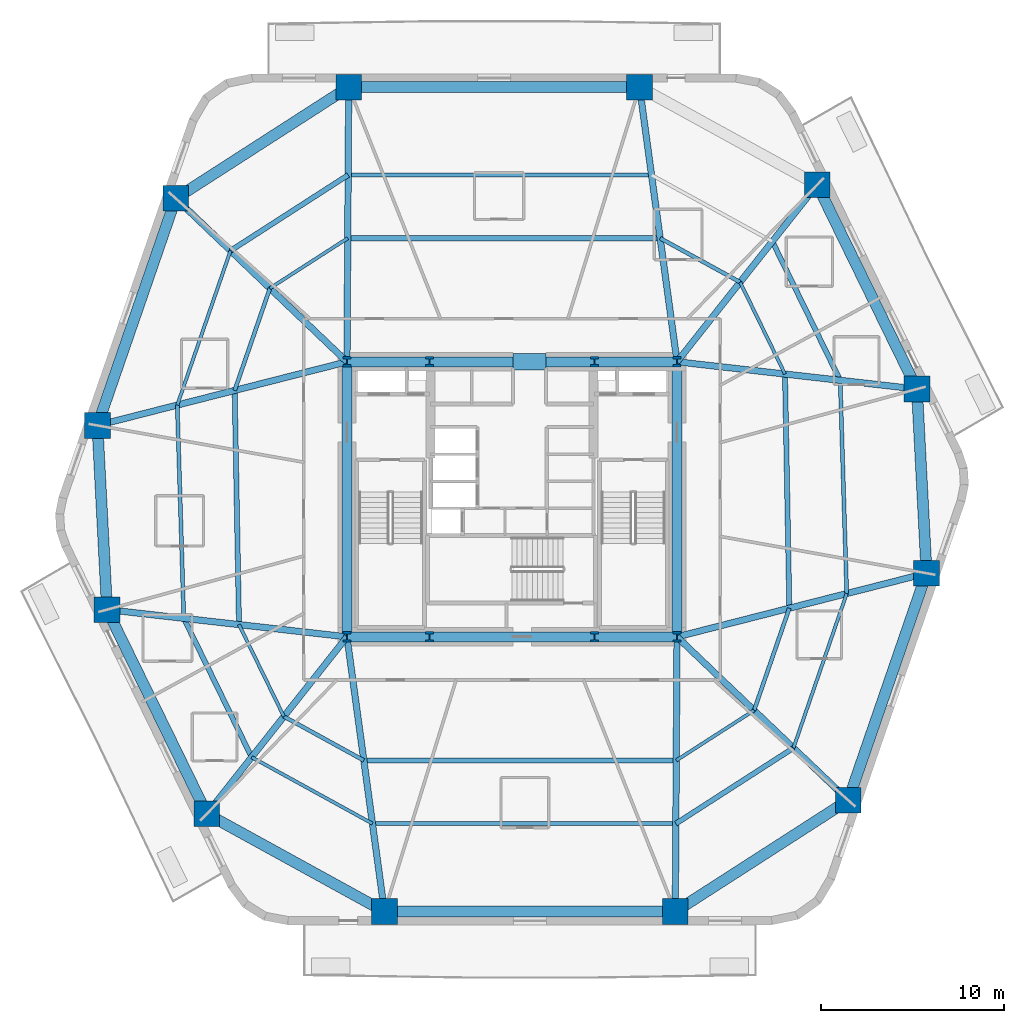
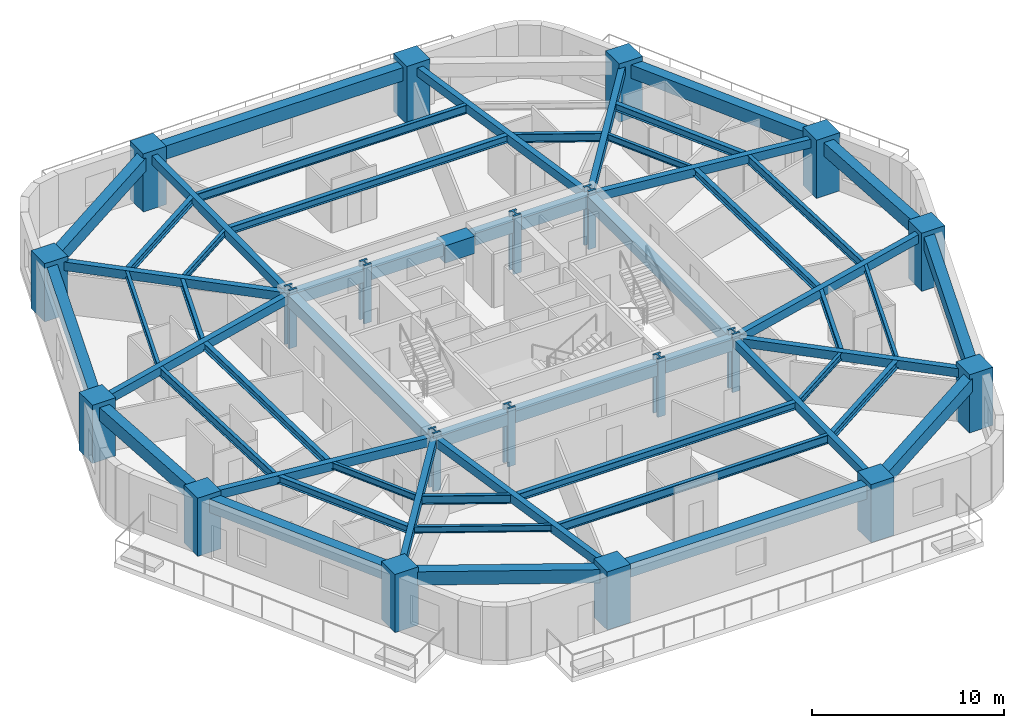
# One storey, part 1 of 10: 55 beams, 20 columns.
"""IFC4 building model written with IfcOpenShell, lengths in metres."""

from ifc_helpers import new_model, si_unit, direction, frame, origin, origin_2d, place, context, subcontext, project, spatial, rectangle, i_section, extrude, material, material_profile, profile_set, type_object, element, save


model = new_model("IFC4")

# Units and contexts
model_context = context("Model", 3, precision=1e-05, world=origin(), true_north=direction((0.0, 1.0)))
body_context = subcontext(model_context, "Body", "Model", "MODEL_VIEW")
ifc_project = project(units=[si_unit("LENGTHUNIT", "METRE"), si_unit("AREAUNIT", "SQUARE_METRE"), si_unit("VOLUMEUNIT", "CUBIC_METRE"), si_unit("PLANEANGLEUNIT", "RADIAN"), si_unit("MASSUNIT", "GRAM", prefix="KILO")], contexts=[model_context])

# Site, building, storey
site_placement = place(None, origin())
site = spatial("IfcSite", under=ifc_project, at=site_placement, CompositionType="ELEMENT")
building_placement = place(site_placement, origin())
building = spatial("IfcBuilding", under=site, at=building_placement, Name="Kilnhurst Terrace Hotel", CompositionType="ELEMENT")
storey_placement = place(building_placement, frame((0.0, 0.0, 56.39990234375)))
storey = spatial("IfcBuildingStorey", under=building, at=storey_placement, Name="L12", CompositionType="ELEMENT", Elevation=56.39990234375)

# Columns
ifc_material_1 = material(Name="Concrete C80/95", Category="concrete")
ifc_material_profile_1 = material_profile(ifc_material_1, rectangle(XDim=1.39990234375, YDim=1.39990234375, at=origin_2d()), Name="RC1400X1400")
ifc_profile_set_1 = profile_set([ifc_material_profile_1], Name="Concrete C80/95")
column_type_1 = type_object("IfcColumnType", Name="COL-RC-1400", PredefinedType="COLUMN", material=ifc_profile_set_1)
for number, where, z_axis, x_axis, name in (
    (1, (-6.955078125, -22.47998046875, 0.0), (0.0, 0.0, 1.0), (1.0, 0.0, 0.0), "L12 Structural Column PC-F11"),
    (2, (8.905029296875, -22.47998046875, 0.0), (0.0, 0.0, 1.0), (1.0, 0.0, 0.0), "L12 Structural Column PC-F12"),
    (3, (18.337890625, -16.410888671875, 0.0), (0.0, 0.0, 1.0), (1.0, 0.0, 0.0), "L12 Structural Column PC-F21"),
    (4, (22.60888671875, -4.029052734375, 0.0), (0.0, 0.0, 1.0), (1.0, 0.0, 0.0), "L12 Structural Column PC-F22"),
    (5, (22.083984375, 6.013916015625, 0.0), (0.0, 0.0, 1.0), (1.0, 0.0, 0.0), "L12 Structural Column PC-F31"),
    (6, (16.64306640625, 17.152099609375, 0.0), (0.0, 0.0, 1.0), (1.0, 0.0, 0.0), "L12 Structural Column PC-F32"),
    (7, (6.955078125, 22.47998046875, 0.0), (0.0, 0.0, 1.0), (1.0, 0.0, 0.0), "L12 Structural Column PC-F41"),
    (8, (-8.905029296875, 22.47998046875, 0.0), (0.0, 0.0, 1.0), (1.0, 0.0, 0.0), "L12 Structural Column PC-F42"),
    (9, (-18.337890625, 16.410888671875, 0.0), (0.0, 0.0, 1.0), (1.0, 0.0, 0.0), "L12 Structural Column PC-F51"),
    (10, (-22.60888671875, 4.029052734375, 0.0), (0.0, 0.0, 1.0), (1.0, 0.0, 0.0), "L12 Structural Column PC-F52"),
    (11, (-22.083984375, -6.013916015625, 0.0), (0.0, 0.0, 1.0), (1.0, 0.0, 0.0), "L12 Structural Column PC-F61"),
    (12, (-16.64306640625, -17.152099609375, 0.0), (0.0, 0.0, 1.0), (1.0, 0.0, 0.0), "L12 Structural Column PC-F62"),
):
    element("IfcColumn", number, at=place(storey_placement, frame(where, z_axis=z_axis, x_axis=x_axis)), inside=storey, type_object=column_type_1, Name=name, PredefinedType="COLUMN", context=body_context, shape_type="SweptSolid", body=[
        extrude(rectangle(XDim=1.39990234375, YDim=1.39990234375, at=origin_2d()), origin(), (0.0, 0.0, 1.0), 3.7001953125),
    ])
ifc_material_2 = material(Name="Steel ASTM A992 Grade 50", Category="steel")
ifc_material_profile_2 = material_profile(ifc_material_2, i_section(OverallWidth=0.454345703125, OverallDepth=0.569091796875, WebThickness=0.077880859375, FlangeThickness=0.124755859375, at=origin_2d()), Name="W14X730")
ifc_profile_set_2 = profile_set([ifc_material_profile_2], Name="Steel ASTM A992 Grade 50")
column_type_2 = type_object("IfcColumnType", Name="COL-STL-W14X730", PredefinedType="COLUMN", material=ifc_profile_set_2)
for number, where, z_axis, x_axis, name in (
    (13, (-9.0, -7.5, 0.0), (0.0, 0.0, 1.0), (1.0, 0.0, 0.0), "L12 Structural Column CC-SW"),
    (14, (-4.5, -7.5, 0.0), (0.0, 0.0, 1.0), (1.0, 0.0, 0.0), "L12 Structural Column CC-SC1"),
    (15, (4.5, -7.5, 0.0), (0.0, 0.0, 1.0), (1.0, 0.0, 0.0), "L12 Structural Column CC-SC2"),
    (16, (9.0, -7.5, 0.0), (0.0, 0.0, 1.0), (1.0, 0.0, 0.0), "L12 Structural Column CC-SE"),
    (17, (9.0, 7.5, 0.0), (0.0, 0.0, 1.0), (1.0, 0.0, 0.0), "L12 Structural Column CC-NE"),
    (18, (4.5, 7.5, 0.0), (0.0, 0.0, 1.0), (1.0, 0.0, 0.0), "L12 Structural Column CC-NC2"),
    (19, (-4.5, 7.5, 0.0), (0.0, 0.0, 1.0), (1.0, 0.0, 0.0), "L12 Structural Column CC-NC1"),
    (20, (-9.0, 7.5, 0.0), (0.0, 0.0, 1.0), (1.0, 0.0, 0.0), "L12 Structural Column CC-NW"),
):
    element("IfcColumn", number, at=place(storey_placement, frame(where, z_axis=z_axis, x_axis=x_axis)), inside=storey, type_object=column_type_2, Name=name, PredefinedType="COLUMN", context=body_context, shape_type="SweptSolid", body=[
        extrude(i_section(OverallWidth=0.454345703125, OverallDepth=0.569091796875, WebThickness=0.077880859375, FlangeThickness=0.124755859375, at=origin_2d()), origin(), (0.0, 0.0, 1.0), 3.7001953125),
    ])

# Beams
ifc_material_3 = material(Name="Concrete C50/60", Category="concrete")
ifc_material_profile_3 = material_profile(ifc_material_3, rectangle(XDim=0.35009765625, YDim=0.550048828125, at=origin_2d()), Name="RC350X550")
ifc_profile_set_3 = profile_set([ifc_material_profile_3], Name="Concrete C50/60")
beam_type_1 = type_object("IfcBeamType", Name="BM-RAD-350X550", PredefinedType="BEAM", material=ifc_profile_set_3)
beam_1_placement = place(storey_placement, frame((-9.0, -7.5, 3.125), z_axis=(0.13525588246, -0.990810701527, 0.0), x_axis=(0.990810701527, 0.13525588246, 0.0)))
element("IfcBeam", 21, at=beam_1_placement, inside=storey, type_object=beam_type_1, Name="L12 Radial Floor Beam 1", PredefinedType="BEAM", context=body_context, shape_type="SweptSolid", body=[
    extrude(rectangle(XDim=0.35009765625, YDim=0.550048828125, at=origin_2d()), origin(), (0.0, 0.0, 1.0), 15.118896484375),
])
beam_2_placement = place(storey_placement, frame((9.0, -7.5, 3.125), z_axis=(-0.006339714179, -0.99997990381, 0.0), x_axis=(0.99997990381, -0.006339714179, 0.0)))
element("IfcBeam", 22, at=beam_2_placement, inside=storey, type_object=beam_type_1, Name="L12 Radial Floor Beam 2", PredefinedType="BEAM", context=body_context, shape_type="SweptSolid", body=[
    extrude(rectangle(XDim=0.35009765625, YDim=0.550048828125, at=origin_2d()), origin(), (0.0, 0.0, 1.0), 14.980224609375),
])
beam_3_placement = place(storey_placement, frame((9.0, -7.5, 3.125), z_axis=(0.723454302813, -0.690372270403, 0.0), x_axis=(0.690372270403, 0.723454302813, 0.0)))
element("IfcBeam", 23, at=beam_3_placement, inside=storey, type_object=beam_type_1, Name="L12 Radial Floor Beam 3", PredefinedType="BEAM", context=body_context, shape_type="SweptSolid", body=[
    extrude(rectangle(XDim=0.35009765625, YDim=0.550048828125, at=origin_2d()), origin(), (0.0, 0.0, 1.0), 12.907470703125),
])
beam_4_placement = place(storey_placement, frame((9.0, -7.5, 3.125), z_axis=(0.968980179812, 0.247138445273, 0.0), x_axis=(-0.247138445273, 0.968980179812, 0.0)))
element("IfcBeam", 24, at=beam_4_placement, inside=storey, type_object=beam_type_1, Name="L12 Radial Floor Beam 4", PredefinedType="BEAM", context=body_context, shape_type="SweptSolid", body=[
    extrude(rectangle(XDim=0.35009765625, YDim=0.550048828125, at=origin_2d()), origin(), (0.0, 0.0, 1.0), 14.04443359375),
])
beam_5_placement = place(storey_placement, frame((9.0, 7.5, 3.125), z_axis=(0.993611493249, -0.112854776075, 0.0), x_axis=(0.112854776075, 0.993611493249, 0.0)))
element("IfcBeam", 25, at=beam_5_placement, inside=storey, type_object=beam_type_1, Name="L12 Radial Floor Beam 5", PredefinedType="BEAM", context=body_context, shape_type="SweptSolid", body=[
    extrude(rectangle(XDim=0.35009765625, YDim=0.550048828125, at=origin_2d()), origin(), (0.0, 0.0, 1.0), 13.168212890625),
])
beam_6_placement = place(storey_placement, frame((9.0, 7.5, 3.125), z_axis=(0.62079385707, 0.783973843329, 0.0), x_axis=(-0.783973843329, 0.62079385707, 0.0)))
element("IfcBeam", 26, at=beam_6_placement, inside=storey, type_object=beam_type_1, Name="L12 Radial Floor Beam 6", PredefinedType="BEAM", context=body_context, shape_type="SweptSolid", body=[
    extrude(rectangle(XDim=0.35009765625, YDim=0.550048828125, at=origin_2d()), origin(), (0.0, 0.0, 1.0), 12.311767578125),
])
beam_7_placement = place(storey_placement, frame((9.0, 7.5, 3.125), z_axis=(-0.13525588246, 0.990810701527, 0.0), x_axis=(-0.990810701527, -0.13525588246, 0.0)))
element("IfcBeam", 27, at=beam_7_placement, inside=storey, type_object=beam_type_1, Name="L12 Radial Floor Beam 7", PredefinedType="BEAM", context=body_context, shape_type="SweptSolid", body=[
    extrude(rectangle(XDim=0.35009765625, YDim=0.550048828125, at=origin_2d()), origin(), (0.0, 0.0, 1.0), 15.118896484375),
])
beam_8_placement = place(storey_placement, frame((-9.0, 7.5, 3.125), z_axis=(0.006339714179, 0.99997990381, 0.0), x_axis=(-0.99997990381, 0.006339714179, 0.0)))
element("IfcBeam", 28, at=beam_8_placement, inside=storey, type_object=beam_type_1, Name="L12 Radial Floor Beam 8", PredefinedType="BEAM", context=body_context, shape_type="SweptSolid", body=[
    extrude(rectangle(XDim=0.35009765625, YDim=0.550048828125, at=origin_2d()), origin(), (0.0, 0.0, 1.0), 14.980224609375),
])
beam_9_placement = place(storey_placement, frame((-9.0, 7.5, 3.125), z_axis=(-0.723454302813, 0.690372270403, 0.0), x_axis=(-0.690372270403, -0.723454302813, 0.0)))
element("IfcBeam", 29, at=beam_9_placement, inside=storey, type_object=beam_type_1, Name="L12 Radial Floor Beam 9", PredefinedType="BEAM", context=body_context, shape_type="SweptSolid", body=[
    extrude(rectangle(XDim=0.35009765625, YDim=0.550048828125, at=origin_2d()), origin(), (0.0, 0.0, 1.0), 12.907470703125),
])
beam_10_placement = place(storey_placement, frame((-9.0, 7.5, 3.125), z_axis=(-0.968980179812, -0.247138445273, 0.0), x_axis=(0.247138445273, -0.968980179812, 0.0)))
element("IfcBeam", 30, at=beam_10_placement, inside=storey, type_object=beam_type_1, Name="L12 Radial Floor Beam 10", PredefinedType="BEAM", context=body_context, shape_type="SweptSolid", body=[
    extrude(rectangle(XDim=0.35009765625, YDim=0.550048828125, at=origin_2d()), origin(), (0.0, 0.0, 1.0), 14.04443359375),
])
beam_11_placement = place(storey_placement, frame((-9.0, -7.5, 3.125), z_axis=(-0.993611493249, 0.112854776075, 0.0), x_axis=(-0.112854776075, -0.993611493249, 0.0)))
element("IfcBeam", 31, at=beam_11_placement, inside=storey, type_object=beam_type_1, Name="L12 Radial Floor Beam 11", PredefinedType="BEAM", context=body_context, shape_type="SweptSolid", body=[
    extrude(rectangle(XDim=0.35009765625, YDim=0.550048828125, at=origin_2d()), origin(), (0.0, 0.0, 1.0), 13.168212890625),
])
beam_12_placement = place(storey_placement, frame((-9.0, -7.5, 3.125), z_axis=(-0.62079385707, -0.783973843329, 0.0), x_axis=(0.783973843329, -0.62079385707, 0.0)))
element("IfcBeam", 32, at=beam_12_placement, inside=storey, type_object=beam_type_1, Name="L12 Radial Floor Beam 12", PredefinedType="BEAM", context=body_context, shape_type="SweptSolid", body=[
    extrude(rectangle(XDim=0.35009765625, YDim=0.550048828125, at=origin_2d()), origin(), (0.0, 0.0, 1.0), 12.311767578125),
])
ifc_material_profile_4 = material_profile(ifc_material_3, rectangle(XDim=0.550048828125, YDim=0.75, at=origin_2d()), Name="RC550X750")
ifc_profile_set_4 = profile_set([ifc_material_profile_4], Name="Concrete C50/60")
beam_type_2 = type_object("IfcBeamType", Name="BM-SPN-550X750", PredefinedType="SPANDREL", material=ifc_profile_set_4)
beam_13_placement = place(storey_placement, frame((-9.0, 7.5, 3.025146484375), z_axis=(1.0, 0.0, 0.0), x_axis=(0.0, 1.0, 0.0)))
element("IfcBeam", 33, at=beam_13_placement, inside=storey, type_object=beam_type_2, Name="L12 Core Tie Beam CC-NW to CC-NC1", PredefinedType="SPANDREL", context=body_context, shape_type="SweptSolid", body=[
    extrude(rectangle(XDim=0.550048828125, YDim=0.75, at=origin_2d()), origin(), (0.0, 0.0, 1.0), 4.5),
])
beam_14_placement = place(storey_placement, frame((-4.5, 7.5, 3.025146484375), z_axis=(1.0, 0.0, 0.0), x_axis=(0.0, 1.0, 0.0)))
element("IfcBeam", 34, at=beam_14_placement, inside=storey, type_object=beam_type_2, Name="L12 Core Tie Beam CC-NC1 to CC-NC2", PredefinedType="SPANDREL", context=body_context, shape_type="SweptSolid", body=[
    extrude(rectangle(XDim=0.550048828125, YDim=0.75, at=origin_2d()), origin(), (0.0, 0.0, 1.0), 9.0),
])
for number, where, z_axis, x_axis, name in (
    (35, (4.5, 7.5, 3.025146484375), (1.0, 0.0, 0.0), (0.0, 1.0, 0.0), "L12 Core Tie Beam CC-NC2 to CC-NE"),
    (36, (-9.0, -7.5, 3.025146484375), (1.0, 0.0, 0.0), (0.0, 1.0, 0.0), "L12 Core Tie Beam CC-SW to CC-SC1"),
):
    element("IfcBeam", number, at=place(storey_placement, frame(where, z_axis=z_axis, x_axis=x_axis)), inside=storey, type_object=beam_type_2, Name=name, PredefinedType="SPANDREL", context=body_context, shape_type="SweptSolid", body=[
        extrude(rectangle(XDim=0.550048828125, YDim=0.75, at=origin_2d()), origin(), (0.0, 0.0, 1.0), 4.5),
    ])
beam_15_placement = place(storey_placement, frame((-4.5, -7.5, 3.025146484375), z_axis=(1.0, 0.0, 0.0), x_axis=(0.0, 1.0, 0.0)))
element("IfcBeam", 37, at=beam_15_placement, inside=storey, type_object=beam_type_2, Name="L12 Core Tie Beam CC-SC1 to CC-SC2", PredefinedType="SPANDREL", context=body_context, shape_type="SweptSolid", body=[
    extrude(rectangle(XDim=0.550048828125, YDim=0.75, at=origin_2d()), origin(), (0.0, 0.0, 1.0), 9.0),
])
beam_16_placement = place(storey_placement, frame((4.5, -7.5, 3.025146484375), z_axis=(1.0, 0.0, 0.0), x_axis=(0.0, 1.0, 0.0)))
element("IfcBeam", 38, at=beam_16_placement, inside=storey, type_object=beam_type_2, Name="L12 Core Tie Beam CC-SC2 to CC-SE", PredefinedType="SPANDREL", context=body_context, shape_type="SweptSolid", body=[
    extrude(rectangle(XDim=0.550048828125, YDim=0.75, at=origin_2d()), origin(), (0.0, 0.0, 1.0), 4.5),
])
for number, where, z_axis, x_axis, name in (
    (39, (-9.0, -7.5, 3.025146484375), (0.0, 1.0, 0.0), (-1.0, 0.0, 0.0), "L12 Core Tie Beam CC-SW to CC-NW"),
    (40, (9.0, -7.5, 3.025146484375), (0.0, 1.0, 0.0), (-1.0, 0.0, 0.0), "L12 Core Tie Beam CC-SE to CC-NE"),
):
    element("IfcBeam", number, at=place(storey_placement, frame(where, z_axis=z_axis, x_axis=x_axis)), inside=storey, type_object=beam_type_2, Name=name, PredefinedType="SPANDREL", context=body_context, shape_type="SweptSolid", body=[
        extrude(rectangle(XDim=0.550048828125, YDim=0.75, at=origin_2d()), origin(), (0.0, 0.0, 1.0), 15.0),
    ])
ifc_material_profile_5 = material_profile(ifc_material_3, rectangle(XDim=0.60009765625, YDim=0.85009765625, at=origin_2d()), Name="RC600X850")
ifc_profile_set_5 = profile_set([ifc_material_profile_5], Name="Concrete C50/60")
beam_type_3 = type_object("IfcBeamType", Name="BM-SPN-600X850", PredefinedType="SPANDREL", material=ifc_profile_set_5)
beam_17_placement = place(storey_placement, frame((-6.955078125, -22.47998046875, 2.97509765625), z_axis=(1.0, 0.0, 0.0), x_axis=(0.0, 1.0, 0.0)))
element("IfcBeam", 41, at=beam_17_placement, inside=storey, type_object=beam_type_3, Name="L12 Perimeter Spandrel Beam 1", PredefinedType="SPANDREL", context=body_context, shape_type="SweptSolid", body=[
    extrude(rectangle(XDim=0.60009765625, YDim=0.85009765625, at=origin_2d()), origin(), (0.0, 0.0, 1.0), 15.860107421875),
])
beam_18_placement = place(storey_placement, frame((8.905029296875, -22.47998046875, 2.97509765625), z_axis=(0.840971204873, 0.541079876335, 0.0), x_axis=(-0.541079876335, 0.840971204873, 0.0)))
element("IfcBeam", 42, at=beam_18_placement, inside=storey, type_object=beam_type_3, Name="L12 Perimeter Spandrel Beam 2", PredefinedType="SPANDREL", context=body_context, shape_type="SweptSolid", body=[
    extrude(rectangle(XDim=0.60009765625, YDim=0.85009765625, at=origin_2d()), origin(), (0.0, 0.0, 1.0), 11.216552734375),
])
beam_19_placement = place(storey_placement, frame((18.337890625, -16.410888671875, 2.97509765625), z_axis=(0.326086040191, 0.945340094565, 0.0), x_axis=(-0.945340094565, 0.326086040191, 0.0)))
element("IfcBeam", 43, at=beam_19_placement, inside=storey, type_object=beam_type_3, Name="L12 Perimeter Spandrel Beam 3", PredefinedType="SPANDREL", context=body_context, shape_type="SweptSolid", body=[
    extrude(rectangle(XDim=0.60009765625, YDim=0.85009765625, at=origin_2d()), origin(), (0.0, 0.0, 1.0), 13.09765625),
])
beam_20_placement = place(storey_placement, frame((22.60888671875, -4.029052734375, 2.97509765625), z_axis=(-0.052194414298, 0.998636942595, 0.0), x_axis=(-0.998636942595, -0.052194414298, 0.0)))
element("IfcBeam", 44, at=beam_20_placement, inside=storey, type_object=beam_type_3, Name="L12 Perimeter Spandrel Beam 4", PredefinedType="SPANDREL", context=body_context, shape_type="SweptSolid", body=[
    extrude(rectangle(XDim=0.60009765625, YDim=0.85009765625, at=origin_2d()), origin(), (0.0, 0.0, 1.0), 10.056640625),
])
beam_21_placement = place(storey_placement, frame((22.083984375, 6.013916015625, 2.97509765625), z_axis=(-0.438922573627, 0.898524888003, 0.0), x_axis=(-0.898524888003, -0.438922573627, 0.0)))
element("IfcBeam", 45, at=beam_21_placement, inside=storey, type_object=beam_type_3, Name="L12 Perimeter Spandrel Beam 5", PredefinedType="SPANDREL", context=body_context, shape_type="SweptSolid", body=[
    extrude(rectangle(XDim=0.60009765625, YDim=0.85009765625, at=origin_2d()), origin(), (0.0, 0.0, 1.0), 12.39599609375),
])
beam_22_placement = place(storey_placement, frame((6.955078125, 22.47998046875, 2.97509765625), z_axis=(-1.0, 0.0, 0.0), x_axis=(0.0, -1.0, 0.0)))
element("IfcBeam", 46, at=beam_22_placement, inside=storey, type_object=beam_type_3, Name="L12 Perimeter Spandrel Beam 7", PredefinedType="SPANDREL", context=body_context, shape_type="SweptSolid", body=[
    extrude(rectangle(XDim=0.60009765625, YDim=0.85009765625, at=origin_2d()), origin(), (0.0, 0.0, 1.0), 15.860107421875),
])
beam_23_placement = place(storey_placement, frame((-8.905029296875, 22.47998046875, 2.97509765625), z_axis=(-0.840971204873, -0.541079876335, 0.0), x_axis=(0.541079876335, -0.840971204873, 0.0)))
element("IfcBeam", 47, at=beam_23_placement, inside=storey, type_object=beam_type_3, Name="L12 Perimeter Spandrel Beam 8", PredefinedType="SPANDREL", context=body_context, shape_type="SweptSolid", body=[
    extrude(rectangle(XDim=0.60009765625, YDim=0.85009765625, at=origin_2d()), origin(), (0.0, 0.0, 1.0), 11.216552734375),
])
beam_24_placement = place(storey_placement, frame((-18.337890625, 16.410888671875, 2.97509765625), z_axis=(-0.326086040191, -0.945340094565, 0.0), x_axis=(0.945340094565, -0.326086040191, 0.0)))
element("IfcBeam", 48, at=beam_24_placement, inside=storey, type_object=beam_type_3, Name="L12 Perimeter Spandrel Beam 9", PredefinedType="SPANDREL", context=body_context, shape_type="SweptSolid", body=[
    extrude(rectangle(XDim=0.60009765625, YDim=0.85009765625, at=origin_2d()), origin(), (0.0, 0.0, 1.0), 13.09765625),
])
beam_25_placement = place(storey_placement, frame((-22.60888671875, 4.029052734375, 2.97509765625), z_axis=(0.052194414298, -0.998636942595, 0.0), x_axis=(0.998636942595, 0.052194414298, 0.0)))
element("IfcBeam", 49, at=beam_25_placement, inside=storey, type_object=beam_type_3, Name="L12 Perimeter Spandrel Beam 10", PredefinedType="SPANDREL", context=body_context, shape_type="SweptSolid", body=[
    extrude(rectangle(XDim=0.60009765625, YDim=0.85009765625, at=origin_2d()), origin(), (0.0, 0.0, 1.0), 10.056640625),
])
beam_26_placement = place(storey_placement, frame((-22.083984375, -6.013916015625, 2.97509765625), z_axis=(0.438922573627, -0.898524888003, 0.0), x_axis=(0.898524888003, 0.438922573627, 0.0)))
element("IfcBeam", 50, at=beam_26_placement, inside=storey, type_object=beam_type_3, Name="L12 Perimeter Spandrel Beam 11", PredefinedType="SPANDREL", context=body_context, shape_type="SweptSolid", body=[
    extrude(rectangle(XDim=0.60009765625, YDim=0.85009765625, at=origin_2d()), origin(), (0.0, 0.0, 1.0), 12.39599609375),
])
beam_27_placement = place(storey_placement, frame((-16.64306640625, -17.152099609375, 2.97509765625), z_axis=(0.876235488803, -0.481883147829, 0.0), x_axis=(0.481883147829, 0.876235488803, 0.0)))
element("IfcBeam", 51, at=beam_27_placement, inside=storey, type_object=beam_type_3, Name="L12 Perimeter Spandrel Beam 12", PredefinedType="SPANDREL", context=body_context, shape_type="SweptSolid", body=[
    extrude(rectangle(XDim=0.60009765625, YDim=0.85009765625, at=origin_2d()), origin(), (0.0, 0.0, 1.0), 11.056396484375),
])
ifc_material_profile_6 = material_profile(ifc_material_2, i_section(OverallWidth=0.180908203125, OverallDepth=0.417236328125, WebThickness=0.010986328125, FlangeThickness=0.018310546875, at=origin_2d()), Name="W16X57")
ifc_profile_set_6 = profile_set([ifc_material_profile_6], Name="Steel ASTM A992 Grade 50")
beam_type_4 = type_object("IfcBeamType", Name="JST-STL-W16X57", PredefinedType="JOIST", material=ifc_profile_set_6)
for number, where, z_axis, x_axis, name in (
    (52, (15.349853515625, -13.5595703125, 3.191162109375), (0.326078536201, 0.945342682961, 0.0), (-0.945342682961, 0.326078536201, 0.0), "L12 Secondary Floor Steel Joist OUT.3"),
    (53, (-15.349853515625, 13.5595703125, 3.191162109375), (-0.326078536201, -0.945342682961, 0.0), (0.945342682961, -0.326078536201, 0.0), "L12 Secondary Floor Steel Joist OUT.9"),
):
    element("IfcBeam", number, at=place(storey_placement, frame(where, z_axis=z_axis, x_axis=x_axis)), inside=storey, type_object=beam_type_4, Name=name, PredefinedType="JOIST", context=body_context, shape_type="SweptSolid", body=[
        extrude(i_section(OverallWidth=0.180908203125, OverallDepth=0.417236328125, WebThickness=0.010986328125, FlangeThickness=0.018310546875, at=origin_2d()), origin(), (0.0, 0.0, 1.0), 8.90673828125),
    ])
beam_28_placement = place(storey_placement, frame((-14.197265625, -14.0634765625, 3.191162109375), z_axis=(0.876246073632, -0.481863900334, 0.0), x_axis=(0.481863900334, 0.876246073632, 0.0)))
element("IfcBeam", 54, at=beam_28_placement, inside=storey, type_object=beam_type_4, Name="L12 Secondary Floor Steel Joist OUT.12", PredefinedType="JOIST", context=body_context, shape_type="SweptSolid", body=[
    extrude(i_section(OverallWidth=0.180908203125, OverallDepth=0.417236328125, WebThickness=0.010986328125, FlangeThickness=0.018310546875, at=origin_2d()), origin(), (0.0, 0.0, 1.0), 7.518310546875),
])
beam_29_placement = place(storey_placement, frame((8.957275390625, -14.240966796875, 3.191162109375), z_axis=(0.840988265896, 0.541053358389, 0.0), x_axis=(-0.541053358389, 0.840988265896, 0.0)))
element("IfcBeam", 55, at=beam_29_placement, inside=storey, type_object=beam_type_4, Name="L12 Secondary Floor Steel Joist IN.2", PredefinedType="JOIST", context=body_context, shape_type="SweptSolid", body=[
    extrude(i_section(OverallWidth=0.180908203125, OverallDepth=0.417236328125, WebThickness=0.010986328125, FlangeThickness=0.018310546875, at=origin_2d()), origin(), (0.0, 0.0, 1.0), 5.04736328125),
])
beam_30_placement = place(storey_placement, frame((14.8876953125, 6.831298828125, 3.191162109375), z_axis=(-0.438896112695, 0.898537813484, 0.0), x_axis=(-0.898537813484, -0.438896112695, 0.0)))
element("IfcBeam", 56, at=beam_30_placement, inside=storey, type_object=beam_type_4, Name="L12 Secondary Floor Steel Joist IN.5", PredefinedType="JOIST", context=body_context, shape_type="SweptSolid", body=[
    extrude(i_section(OverallWidth=0.180908203125, OverallDepth=0.417236328125, WebThickness=0.010986328125, FlangeThickness=0.018310546875, at=origin_2d()), origin(), (0.0, 0.0, 1.0), 5.578125),
])
beam_31_placement = place(storey_placement, frame((-8.957275390625, 14.240966796875, 3.191162109375), z_axis=(-0.840988265896, -0.541053358389, 0.0), x_axis=(0.541053358389, -0.840988265896, 0.0)))
element("IfcBeam", 57, at=beam_31_placement, inside=storey, type_object=beam_type_4, Name="L12 Secondary Floor Steel Joist IN.8", PredefinedType="JOIST", context=body_context, shape_type="SweptSolid", body=[
    extrude(i_section(OverallWidth=0.180908203125, OverallDepth=0.417236328125, WebThickness=0.010986328125, FlangeThickness=0.018310546875, at=origin_2d()), origin(), (0.0, 0.0, 1.0), 5.04736328125),
])
beam_32_placement = place(storey_placement, frame((-14.8876953125, -6.831298828125, 3.191162109375), z_axis=(0.438896112695, -0.898537813484, 0.0), x_axis=(0.898537813484, 0.438896112695, 0.0)))
element("IfcBeam", 58, at=beam_32_placement, inside=storey, type_object=beam_type_4, Name="L12 Secondary Floor Steel Joist IN.11", PredefinedType="JOIST", context=body_context, shape_type="SweptSolid", body=[
    extrude(i_section(OverallWidth=0.180908203125, OverallDepth=0.417236328125, WebThickness=0.010986328125, FlangeThickness=0.018310546875, at=origin_2d()), origin(), (0.0, 0.0, 1.0), 5.578125),
])
ifc_material_profile_7 = material_profile(ifc_material_2, i_section(OverallWidth=0.279296875, OverallDepth=0.462890625, WebThickness=0.0107421875, FlangeThickness=0.017333984375, at=origin_2d()), Name="W18X76")
ifc_profile_set_7 = profile_set([ifc_material_profile_7], Name="Steel ASTM A992 Grade 50")
beam_type_5 = type_object("IfcBeamType", Name="JST-STL-W18X76", PredefinedType="JOIST", material=ifc_profile_set_7)
beam_33_placement = place(storey_placement, frame((8.935302734375, -17.686279296875, 3.168212890625), z_axis=(0.840995388529, 0.54104228714, 0.0), x_axis=(-0.54104228714, 0.840995388529, 0.0)))
element("IfcBeam", 59, at=beam_33_placement, inside=storey, type_object=beam_type_5, Name="L12 Secondary Floor Steel Joist OUT.2", PredefinedType="JOIST", context=body_context, shape_type="SweptSolid", body=[
    extrude(i_section(OverallWidth=0.279296875, OverallDepth=0.462890625, WebThickness=0.0107421875, FlangeThickness=0.017333984375, at=origin_2d()), origin(), (0.0, 0.0, 1.0), 7.62744140625),
])
beam_34_placement = place(storey_placement, frame((17.897216796875, 6.489501953125, 3.168212890625), z_axis=(-0.438934275949, 0.898519171413, 0.0), x_axis=(-0.898519171413, -0.438934275949, 0.0)))
element("IfcBeam", 60, at=beam_34_placement, inside=storey, type_object=beam_type_5, Name="L12 Secondary Floor Steel Joist OUT.5", PredefinedType="JOIST", context=body_context, shape_type="SweptSolid", body=[
    extrude(i_section(OverallWidth=0.279296875, OverallDepth=0.462890625, WebThickness=0.0107421875, FlangeThickness=0.017333984375, at=origin_2d()), origin(), (0.0, 0.0, 1.0), 8.429443359375),
])
beam_35_placement = place(storey_placement, frame((-8.935302734375, 17.686279296875, 3.168212890625), z_axis=(-0.840995388529, -0.54104228714, 0.0), x_axis=(0.54104228714, -0.840995388529, 0.0)))
element("IfcBeam", 61, at=beam_35_placement, inside=storey, type_object=beam_type_5, Name="L12 Secondary Floor Steel Joist OUT.8", PredefinedType="JOIST", context=body_context, shape_type="SweptSolid", body=[
    extrude(i_section(OverallWidth=0.279296875, OverallDepth=0.462890625, WebThickness=0.0107421875, FlangeThickness=0.017333984375, at=origin_2d()), origin(), (0.0, 0.0, 1.0), 7.62744140625),
])
beam_36_placement = place(storey_placement, frame((-17.897216796875, -6.489501953125, 3.168212890625), z_axis=(0.438934275949, -0.898519171413, 0.0), x_axis=(0.898519171413, 0.438934275949, 0.0)))
element("IfcBeam", 62, at=beam_36_placement, inside=storey, type_object=beam_type_5, Name="L12 Secondary Floor Steel Joist OUT.11", PredefinedType="JOIST", context=body_context, shape_type="SweptSolid", body=[
    extrude(i_section(OverallWidth=0.279296875, OverallDepth=0.462890625, WebThickness=0.0107421875, FlangeThickness=0.017333984375, at=origin_2d()), origin(), (0.0, 0.0, 1.0), 8.429443359375),
])
beam_37_placement = place(storey_placement, frame((-8.079833984375, -14.240966796875, 3.168212890625), z_axis=(1.0, 0.0, 0.0), x_axis=(0.0, 1.0, 0.0)))
element("IfcBeam", 63, at=beam_37_placement, inside=storey, type_object=beam_type_5, Name="L12 Secondary Floor Steel Joist IN.1", PredefinedType="JOIST", context=body_context, shape_type="SweptSolid", body=[
    extrude(i_section(OverallWidth=0.279296875, OverallDepth=0.462890625, WebThickness=0.0107421875, FlangeThickness=0.017333984375, at=origin_2d()), origin(), (0.0, 0.0, 1.0), 17.037109375),
])
beam_38_placement = place(storey_placement, frame((15.1240234375, -5.93798828125, 3.168212890625), z_axis=(-0.018504373716, 0.999828779418, 0.0), x_axis=(-0.999828779418, -0.018504373716, 0.0)))
element("IfcBeam", 64, at=beam_38_placement, inside=storey, type_object=beam_type_5, Name="L12 Secondary Floor Steel Joist IN.4", PredefinedType="JOIST", context=body_context, shape_type="SweptSolid", body=[
    extrude(i_section(OverallWidth=0.279296875, OverallDepth=0.462890625, WebThickness=0.0107421875, FlangeThickness=0.017333984375, at=origin_2d()), origin(), (0.0, 0.0, 1.0), 12.771484375),
])
beam_39_placement = place(storey_placement, frame((8.079833984375, 14.240966796875, 3.168212890625), z_axis=(-1.0, 0.0, 0.0), x_axis=(0.0, -1.0, 0.0)))
element("IfcBeam", 65, at=beam_39_placement, inside=storey, type_object=beam_type_5, Name="L12 Secondary Floor Steel Joist IN.7", PredefinedType="JOIST", context=body_context, shape_type="SweptSolid", body=[
    extrude(i_section(OverallWidth=0.279296875, OverallDepth=0.462890625, WebThickness=0.0107421875, FlangeThickness=0.017333984375, at=origin_2d()), origin(), (0.0, 0.0, 1.0), 17.037109375),
])
beam_40_placement = place(storey_placement, frame((-15.1240234375, 5.93798828125, 3.168212890625), z_axis=(0.018504373716, -0.999828779418, 0.0), x_axis=(0.999828779418, 0.018504373716, 0.0)))
element("IfcBeam", 66, at=beam_40_placement, inside=storey, type_object=beam_type_5, Name="L12 Secondary Floor Steel Joist IN.10", PredefinedType="JOIST", context=body_context, shape_type="SweptSolid", body=[
    extrude(i_section(OverallWidth=0.279296875, OverallDepth=0.462890625, WebThickness=0.0107421875, FlangeThickness=0.017333984375, at=origin_2d()), origin(), (0.0, 0.0, 1.0), 12.771484375),
])
ifc_material_profile_8 = material_profile(ifc_material_2, i_section(OverallWidth=0.2138671875, OverallDepth=0.549072265625, WebThickness=0.0146484375, FlangeThickness=0.023681640625, at=origin_2d()), Name="W21X93")
ifc_profile_set_8 = profile_set([ifc_material_profile_8], Name="Steel ASTM A992 Grade 50")
beam_type_6 = type_object("IfcBeamType", Name="JST-STL-W21X93", PredefinedType="JOIST", material=ifc_profile_set_8)
beam_41_placement = place(storey_placement, frame((-7.609375, -17.686279296875, 3.125), z_axis=(1.0, 0.0, 0.0), x_axis=(0.0, 1.0, 0.0)))
element("IfcBeam", 67, at=beam_41_placement, inside=storey, type_object=beam_type_6, Name="L12 Secondary Floor Steel Joist OUT.1", PredefinedType="JOIST", context=body_context, shape_type="SweptSolid", body=[
    extrude(i_section(OverallWidth=0.2138671875, OverallDepth=0.549072265625, WebThickness=0.0146484375, FlangeThickness=0.023681640625, at=origin_2d()), origin(), (0.0, 0.0, 1.0), 16.544677734375),
])
beam_42_placement = place(storey_placement, frame((18.254150390625, -5.1396484375, 3.125), z_axis=(-0.030678559818, 0.999529302206, 0.0), x_axis=(-0.999529302206, -0.030678559818, 0.0)))
element("IfcBeam", 68, at=beam_42_placement, inside=storey, type_object=beam_type_6, Name="L12 Secondary Floor Steel Joist OUT.4", PredefinedType="JOIST", context=body_context, shape_type="SweptSolid", body=[
    extrude(i_section(OverallWidth=0.2138671875, OverallDepth=0.549072265625, WebThickness=0.0146484375, FlangeThickness=0.023681640625, at=origin_2d()), origin(), (0.0, 0.0, 1.0), 11.634521484375),
])
beam_43_placement = place(storey_placement, frame((7.609375, 17.686279296875, 3.125), z_axis=(-1.0, 0.0, 0.0), x_axis=(0.0, -1.0, 0.0)))
element("IfcBeam", 69, at=beam_43_placement, inside=storey, type_object=beam_type_6, Name="L12 Secondary Floor Steel Joist OUT.7", PredefinedType="JOIST", context=body_context, shape_type="SweptSolid", body=[
    extrude(i_section(OverallWidth=0.2138671875, OverallDepth=0.549072265625, WebThickness=0.0146484375, FlangeThickness=0.023681640625, at=origin_2d()), origin(), (0.0, 0.0, 1.0), 16.544677734375),
])
beam_44_placement = place(storey_placement, frame((-18.254150390625, 5.1396484375, 3.125), z_axis=(0.030678559818, -0.999529302206, 0.0), x_axis=(0.999529302206, 0.030678559818, 0.0)))
element("IfcBeam", 70, at=beam_44_placement, inside=storey, type_object=beam_type_6, Name="L12 Secondary Floor Steel Joist OUT.10", PredefinedType="JOIST", context=body_context, shape_type="SweptSolid", body=[
    extrude(i_section(OverallWidth=0.2138671875, OverallDepth=0.549072265625, WebThickness=0.0146484375, FlangeThickness=0.023681640625, at=origin_2d()), origin(), (0.0, 0.0, 1.0), 11.634521484375),
])
beam_45_placement = place(storey_placement, frame((13.2021484375, -11.510009765625, 3.125), z_axis=(0.326064720391, 0.945347448358, 0.0), x_axis=(-0.945347448358, 0.326064720391, 0.0)))
element("IfcBeam", 71, at=beam_45_placement, inside=storey, type_object=beam_type_6, Name="L12 Secondary Floor Steel Joist IN.3", PredefinedType="JOIST", context=body_context, shape_type="SweptSolid", body=[
    extrude(i_section(OverallWidth=0.2138671875, OverallDepth=0.549072265625, WebThickness=0.0146484375, FlangeThickness=0.023681640625, at=origin_2d()), origin(), (0.0, 0.0, 1.0), 5.89404296875),
])
beam_46_placement = place(storey_placement, frame((12.439453125, 11.843505859375, 3.125), z_axis=(-0.876243879955, 0.481867889408, 0.0), x_axis=(-0.481867889408, -0.876243879955, 0.0)))
element("IfcBeam", 72, at=beam_46_placement, inside=storey, type_object=beam_type_6, Name="L12 Secondary Floor Steel Joist IN.6", PredefinedType="JOIST", context=body_context, shape_type="SweptSolid", body=[
    extrude(i_section(OverallWidth=0.2138671875, OverallDepth=0.549072265625, WebThickness=0.0146484375, FlangeThickness=0.023681640625, at=origin_2d()), origin(), (0.0, 0.0, 1.0), 4.975341796875),
])
beam_47_placement = place(storey_placement, frame((-13.2021484375, 11.510009765625, 3.125), z_axis=(-0.326064720391, -0.945347448358, 0.0), x_axis=(0.945347448358, -0.326064720391, 0.0)))
element("IfcBeam", 73, at=beam_47_placement, inside=storey, type_object=beam_type_6, Name="L12 Secondary Floor Steel Joist IN.9", PredefinedType="JOIST", context=body_context, shape_type="SweptSolid", body=[
    extrude(i_section(OverallWidth=0.2138671875, OverallDepth=0.549072265625, WebThickness=0.0146484375, FlangeThickness=0.023681640625, at=origin_2d()), origin(), (0.0, 0.0, 1.0), 5.89404296875),
])
beam_48_placement = place(storey_placement, frame((-12.439453125, -11.843505859375, 3.125), z_axis=(0.876243879955, -0.481867889408, 0.0), x_axis=(0.481867889408, 0.876243879955, 0.0)))
element("IfcBeam", 74, at=beam_48_placement, inside=storey, type_object=beam_type_6, Name="L12 Secondary Floor Steel Joist IN.12", PredefinedType="JOIST", context=body_context, shape_type="SweptSolid", body=[
    extrude(i_section(OverallWidth=0.2138671875, OverallDepth=0.549072265625, WebThickness=0.0146484375, FlangeThickness=0.023681640625, at=origin_2d()), origin(), (0.0, 0.0, 1.0), 4.975341796875),
])
ifc_material_profile_9 = material_profile(ifc_material_1, rectangle(XDim=0.89990234375, YDim=1.10009765625, at=origin_2d()), Name="RC900X1100")
ifc_profile_set_9 = profile_set([ifc_material_profile_9], Name="Concrete C80/95")
beam_type_7 = type_object("IfcBeamType", Name="LNT-CB-900X1100", PredefinedType="LINTEL", material=ifc_profile_set_9)
beam_49_placement = place(storey_placement, frame((0.050048828125, 7.5, 2.85009765625), z_axis=(1.0, 0.0, 0.0), x_axis=(0.0, 1.0, 0.0)))
element("IfcBeam", 75, at=beam_49_placement, inside=storey, type_object=beam_type_7, Name="L12 North Core Coupling Link Beam", PredefinedType="LINTEL", context=body_context, shape_type="SweptSolid", body=[
    extrude(rectangle(XDim=0.89990234375, YDim=1.10009765625, at=origin_2d()), origin(), (0.0, 0.0, 1.0), 1.800048828125),
])

save(model, "model.ifc")
